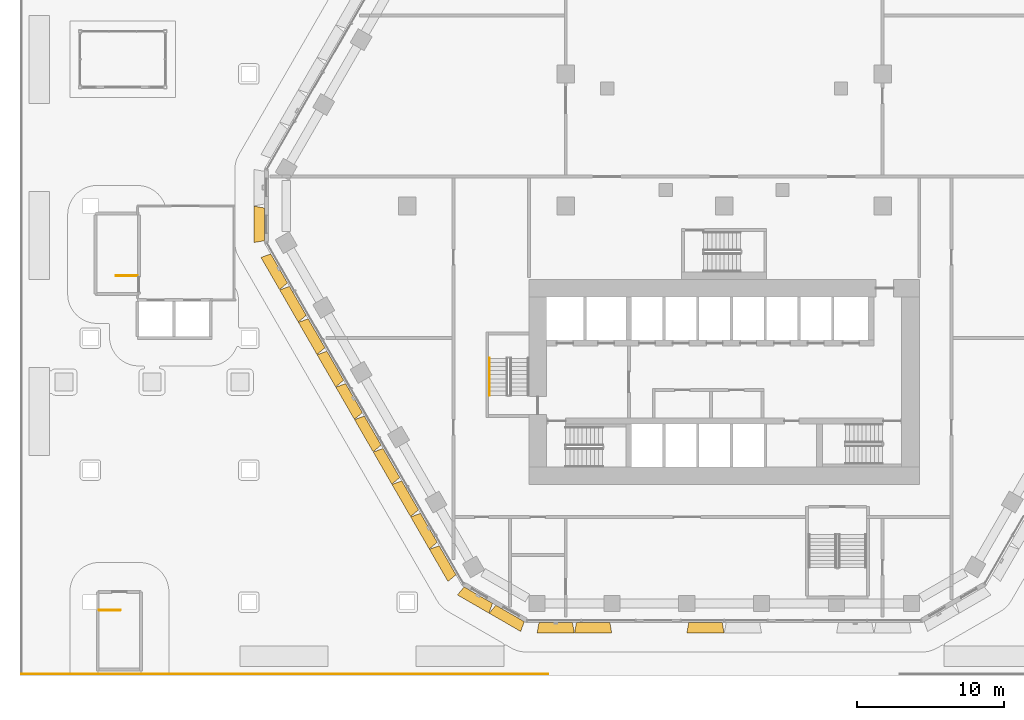
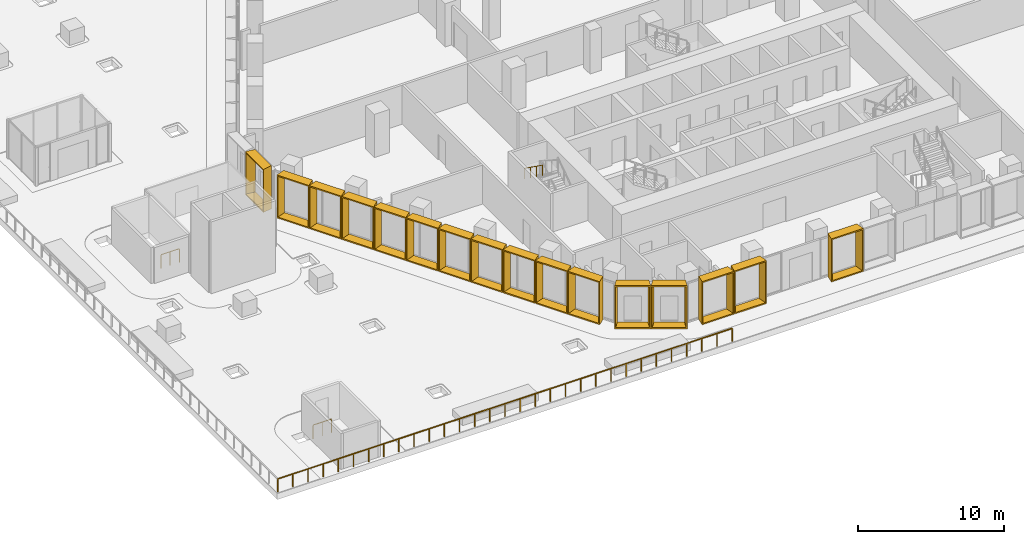
# One storey, part 33 of 38: 16 shading devices, 4 railings.
"""IFC4 building model written with IfcOpenShell, lengths in metres."""

import ifcopenshell
import ifcopenshell.guid

model = None  # the IFC model being written
_history = None  # IfcOwnerHistory: only IFC2X3 demands one
_inside = {}  # id of a spatial element -> (the spatial element, [elements in it])
_under = {}  # id of a project, library or spatial element -> (it, [spatial elements below it])
_declared = {}  # id of a project -> (the project, [libraries it declares])
_typed = {}  # id of a type object -> (the type object, [elements of that type])
_made_of = {}  # id of a material, layer set ... -> (it, [elements and type objects made of it])


def new_model(schema):
    """Start an empty IFC model of exactly this schema.

    Asked for "IFC4X3", IfcOpenShell would pick the latest addendum, in which some entities
    have other attributes; the version numbers below select the first issue.
    IFC2X3 requires an IfcOwnerHistory on every rooted entity: one is made here for all.
    """
    global model, _history
    if schema == "IFC4X3":
        model = ifcopenshell.file(schema_version=(4, 3, 0, 0))
    else:
        model = ifcopenshell.file(schema=schema)
    _inside.clear()
    _under.clear()
    _declared.clear()
    _typed.clear()
    _made_of.clear()
    _history = None
    if model.schema == "IFC2X3":
        org = make("IfcOrganization", Name="unknown")
        user = make(
            "IfcPersonAndOrganization",
            ThePerson=make("IfcPerson", FamilyName="unknown"),
            TheOrganization=org,
        )
        app = make(
            "IfcApplication",
            ApplicationDeveloper=org,
            Version="unknown",
            ApplicationFullName="unknown",
            ApplicationIdentifier="unknown",
        )
        _history = make(
            "IfcOwnerHistory",
            OwningUser=user,
            OwningApplication=app,
            ChangeAction="ADDED",
            CreationDate=0,
        )
    return model


def make(cls, **values):
    """One entity of the class cls with the attributes given. An attribute that is None is left unset."""
    return model.create_entity(
        cls, **{name: value for name, value in values.items() if value is not None}
    )


def entity(cls, *values):
    """Any entity or typed value of the class cls, its attributes in the order of the schema. None: left unset."""
    e = model.create_entity(cls)
    for i, value in enumerate(values):
        if value is not None:
            e[i] = value
    return e


def rooted(cls, **values):
    """An entity with a GlobalId (a new one), such as an element, a storey or a relation."""
    return make(cls, GlobalId=ifcopenshell.guid.new(), OwnerHistory=_history, **values)


def si_unit(unit_type, name, prefix=None):
    """IfcSIUnit, for example si_unit("LENGTHUNIT", "METRE", prefix="MILLI")."""
    return make("IfcSIUnit", UnitType=unit_type, Prefix=prefix, Name=name)


def assignment(units):
    """IfcUnitAssignment: the units of a project."""
    return None if units is None else make("IfcUnitAssignment", Units=units)


def point(xyz):
    """IfcCartesianPoint."""
    return None if xyz is None else make("IfcCartesianPoint", Coordinates=xyz)


def direction(xyz):
    """IfcDirection."""
    return None if xyz is None else make("IfcDirection", DirectionRatios=xyz)


def frame(location, z_axis=None, x_axis=None):
    """IfcAxis2Placement3D, a coordinate frame: its origin and axes. An axis left out is left unset."""
    return make(
        "IfcAxis2Placement3D",
        Location=point(location),
        Axis=direction(z_axis),
        RefDirection=direction(x_axis),
    )


def frame_2d(location, x_axis=None):
    """IfcAxis2Placement2D, a coordinate frame in the plane: its origin and x axis."""
    return make(
        "IfcAxis2Placement2D", Location=point(location), RefDirection=direction(x_axis)
    )


def origin():
    """The frame at (0, 0, 0) with its axes left unset."""
    return frame((0.0, 0.0, 0.0))


def origin_2d():
    """The frame at (0, 0) in the plane with its x axis left unset."""
    return frame_2d((0.0, 0.0))


def place(relative_to, where):
    """IfcLocalPlacement: puts the frame where relative to a parent placement (None: the world)."""
    return make(
        "IfcLocalPlacement", PlacementRelTo=relative_to, RelativePlacement=where
    )


def context(
    kind, dimensions, precision=None, world=None, true_north=None, identifier=None
):
    """IfcGeometricRepresentationContext, for example the 3D "Model" context."""
    return make(
        "IfcGeometricRepresentationContext",
        ContextIdentifier=identifier,
        ContextType=kind,
        CoordinateSpaceDimension=dimensions,
        Precision=precision,
        WorldCoordinateSystem=world,
        TrueNorth=true_north,
    )


def subcontext(parent, identifier, kind, view, scale=None):
    """IfcGeometricRepresentationSubContext, for example "Body" below "Model"."""
    return make(
        "IfcGeometricRepresentationSubContext",
        ContextIdentifier=identifier,
        ContextType=kind,
        ParentContext=parent,
        TargetScale=scale,
        TargetView=view,
    )


def project(units=None, contexts=None):
    """IfcProject with its units and contexts."""
    return rooted(
        "IfcProject",
        Name="project",
        RepresentationContexts=contexts,
        UnitsInContext=assignment(units),
    )


def spatial(cls, under=None, at=None, **own):
    """A site, building, storey or space (cls), placed at a placement, below another one or the project."""
    s = rooted(cls, ObjectPlacement=at, **own)
    if under is not None:
        _under.setdefault(under.id(), (under, []))[1].append(s)
    return s


def profile(cls, at=None, kind="AREA", **sizes):
    """A parametric profile (cls). Its sizes go by their IFC names, for example OverallWidth=200.0."""
    return make(cls, ProfileType=kind, Position=at, **sizes)


def rectangle(**sizes):
    """IfcRectangleProfileDef."""
    return profile("IfcRectangleProfileDef", **sizes)


def extrude(swept, where, along, depth):
    """IfcExtrudedAreaSolid: the profile swept, set in the frame where, extruded along a direction by depth."""
    return make(
        "IfcExtrudedAreaSolid",
        SweptArea=swept,
        Position=where,
        ExtrudedDirection=direction(along),
        Depth=depth,
    )


def shape(context_of_items, identifier, shape_type, items):
    """IfcShapeRepresentation: the items that make up one representation, for example the "Body"."""
    return make(
        "IfcShapeRepresentation",
        ContextOfItems=context_of_items,
        RepresentationIdentifier=identifier,
        RepresentationType=shape_type,
        Items=items,
    )


def source(mapping_origin, context_of_items, identifier, shape_type, items):
    """IfcRepresentationMap: a shape defined once, which mapped items show again and again."""
    return make(
        "IfcRepresentationMap",
        MappingOrigin=mapping_origin,
        MappedRepresentation=shape(context_of_items, identifier, shape_type, items),
    )


def transform(
    local_origin,
    x_axis=None,
    y_axis=None,
    z_axis=None,
    scale=None,
    scale2=None,
    scale3=None,
    uniform=True,
):
    """IfcCartesianTransformationOperator3D, or its non-uniform kind. x_axis, y_axis, z_axis: its Axis1, 2, 3."""
    if uniform:
        return make(
            "IfcCartesianTransformationOperator3D",
            Axis1=direction(x_axis),
            Axis2=direction(y_axis),
            LocalOrigin=point(local_origin),
            Scale=scale,
            Axis3=direction(z_axis),
        )
    return make(
        "IfcCartesianTransformationOperator3DnonUniform",
        Axis1=direction(x_axis),
        Axis2=direction(y_axis),
        LocalOrigin=point(local_origin),
        Scale=scale,
        Axis3=direction(z_axis),
        Scale2=scale2,
        Scale3=scale3,
    )


def mapped(mapping_source, mapping_target):
    """IfcMappedItem: shows the shape of a source again, moved by a transform."""
    return make(
        "IfcMappedItem", MappingSource=mapping_source, MappingTarget=mapping_target
    )


def material(Name=None, Category=None):
    """IfcMaterial."""
    return make("IfcMaterial", Name=Name, Category=Category)


def made_of(thing, what):
    """Note that an element or type object is made of a material, layer set ...; save() writes the relation."""
    if what is not None:
        _made_of.setdefault(what.id(), (what, []))[1].append(thing)
    return thing


def type_object(cls, material=None, **own):
    """A type object (cls), such as IfcWallType, which elements share."""
    return made_of(rooted(cls, **own), material)


def type_shapes(of_type, sources):
    """Give a type object the sources (RepresentationMaps) that its elements show as mapped items."""
    of_type.RepresentationMaps = sources


def element(
    cls,
    number,
    at=None,
    inside=None,
    cuts=None,
    type_object=None,
    material=None,
    context=None,
    identifier="Body",
    shape_type=None,
    held_by="IfcProductDefinitionShape",
    body=None,
    shapes=None,
    **own,
):
    """One element of the class cls, such as IfcWall. Its Tag is "e" and its number.

    at: its placement. inside: the storey or other place that contains it. cuts: it is an
    opening in that element (IfcRelVoidsElement). A single representation is given by context,
    identifier, shape_type and body (its items); several are given by shapes. held_by: the class
    of the entity that holds the representations. save() writes the other relations.
    """
    e = rooted(cls, Tag="e%d" % number, ObjectPlacement=at, **own)
    if body is not None:
        shapes = [shape(context, identifier, shape_type, body)]
    if shapes is not None:
        e.Representation = make(held_by, Representations=shapes)
    if inside is not None:
        _inside.setdefault(inside.id(), (inside, []))[1].append(e)
    if cuts is not None:
        rooted(
            "IfcRelVoidsElement", RelatingBuildingElement=cuts, RelatedOpeningElement=e
        )
    if type_object is not None:
        _typed.setdefault(type_object.id(), (type_object, []))[1].append(e)
    return made_of(e, material)


def aggregate(whole, parts):
    """IfcRelAggregates: a whole, such as a stair, and the parts it consists of."""
    return rooted("IfcRelAggregates", RelatingObject=whole, RelatedObjects=parts)


def save(model, path):
    """Write the relations noted so far, then the file.

    IfcRelAggregates (storeys below a building ...), IfcRelContainedInSpatialStructure (elements
    in a storey), IfcRelDefinesByType, IfcRelAssociatesMaterial and IfcRelDeclares: one each for
    every whole, place, type object, material and project.
    """
    for whole, parts in _under.values():
        aggregate(whole, parts)
    for where, things in _inside.values():
        rooted(
            "IfcRelContainedInSpatialStructure",
            RelatedElements=things,
            RelatingStructure=where,
        )
    for kind, things in _typed.values():
        rooted("IfcRelDefinesByType", RelatedObjects=things, RelatingType=kind)
    for what, things in _made_of.values():
        rooted("IfcRelAssociatesMaterial", RelatedObjects=things, RelatingMaterial=what)
    for by, libraries in _declared.values():
        rooted("IfcRelDeclares", RelatingContext=by, RelatedDefinitions=libraries)
    model.write(path)


model = new_model("IFC4")

# Units and contexts
model_context = context("Model", 3, precision=1e-05, world=origin(), true_north=direction((0.0, 1.0)))
body_context = subcontext(model_context, "Body", "Model", "MODEL_VIEW")
ifc_project = project(units=[si_unit("LENGTHUNIT", "METRE"), si_unit("AREAUNIT", "SQUARE_METRE"), si_unit("VOLUMEUNIT", "CUBIC_METRE"), si_unit("PLANEANGLEUNIT", "RADIAN"), si_unit("MASSUNIT", "GRAM", prefix="KILO")], contexts=[model_context])

# Site, building, storey
site_placement = place(None, origin())
site = spatial("IfcSite", under=ifc_project, at=site_placement, CompositionType="ELEMENT")
building_placement = place(site_placement, origin())
building = spatial("IfcBuilding", under=site, at=building_placement, Name="Beryl Residences", CompositionType="ELEMENT")
storey_placement = place(building_placement, frame((0.0, 0.0, 9.0)))
storey = spatial("IfcBuildingStorey", under=building, at=storey_placement, Name="L02", CompositionType="ELEMENT", Elevation=9.0)

# Shading devices
ifc_material_1 = material(Name="Aluminium pale anodised", Category="aluminium")
shading_device_type_1 = type_object("IfcShadingDeviceType", Name="FR250-70A-H36 OUTER SKIN frame 700 mm deep, splay 10/10 deg, 2500 x 3600 mm cell", PredefinedType="USERDEFINED", material=ifc_material_1)
cartesian_point_1 = entity("IfcCartesianPoint", [-1.116455078125, 0.0])
cartesian_point_2 = entity("IfcCartesianPoint", [-1.03515625, 0.10009765625])
cartesian_point_3 = entity("IfcCartesianPoint", [-1.239990234375, 0.0])
cartesian_point_4 = entity("IfcCartesianPoint", [-1.15869140625, 0.10009765625])
shared_shape_1 = source(origin(), body_context, "Body", "SweptSolid", [
    entity("IfcExtrudedAreaSolidTapered", entity("IfcArbitraryProfileDefWithVoids", "AREA", None, entity("IfcPolyline", [cartesian_point_1, entity("IfcCartesianPoint", [1.116455078125, 0.0]), entity("IfcCartesianPoint", [1.116455078125, 3.60009765625]), entity("IfcCartesianPoint", [-1.116455078125, 3.60009765625]), cartesian_point_1]), [entity("IfcPolyline", [cartesian_point_2, entity("IfcCartesianPoint", [1.03515625, 0.10009765625]), entity("IfcCartesianPoint", [1.03515625, 3.5]), entity("IfcCartesianPoint", [-1.03515625, 3.5]), cartesian_point_2])]), entity("IfcAxis2Placement3D", entity("IfcCartesianPoint", [0.0, 0.0, 0.0]), entity("IfcDirection", [0.0, 1.0, 0.0]), entity("IfcDirection", [-1.0, 0.0, 0.0])), entity("IfcDirection", [0.0, 0.0, 1.0]), 0.699951171875, entity("IfcArbitraryProfileDefWithVoids", "AREA", None, entity("IfcPolyline", [cartesian_point_3, entity("IfcCartesianPoint", [1.239990234375, 0.0]), entity("IfcCartesianPoint", [1.239990234375, 3.60009765625]), entity("IfcCartesianPoint", [-1.239990234375, 3.60009765625]), cartesian_point_3]), [entity("IfcPolyline", [cartesian_point_4, entity("IfcCartesianPoint", [1.15869140625, 0.10009765625]), entity("IfcCartesianPoint", [1.15869140625, 3.5]), entity("IfcCartesianPoint", [-1.15869140625, 3.5]), cartesian_point_4])])),
])
type_shapes(shading_device_type_1, [shared_shape_1])
for number, where, z_axis, x_axis, name in (
    (1, (-31.35009765625, -1.25, 0.0), (0.0, 0.0, 1.0), (0.0, 1.0, 0.0), "FR250-70A-H36 frame L02 NW-SW 2"),
    (2, (-16.758056640625, -26.52490234375, 0.0), (0.0, 0.0, 1.0), (-0.866025403784, 0.5, 0.0), "FR250-70A-H36 frame L02 SW-S 1"),
    (3, (-14.593017578125, -27.77490234375, 0.0), (0.0, 0.0, 1.0), (-0.866025403784, 0.5, 0.0), "FR250-70A-H36 frame L02 SW-S 2"),
):
    element("IfcShadingDevice", number, at=place(storey_placement, frame(where, z_axis=z_axis, x_axis=x_axis)), inside=storey, type_object=shading_device_type_1, Name=name, ObjectType="OUTER SKIN", PredefinedType="USERDEFINED", context=body_context, shape_type="MappedRepresentation", body=[
        mapped(shared_shape_1, transform((0.0, 0.0, 0.0))),
    ])
ifc_material_2 = material(Name="Aluminium pale anodised", Category="aluminium")
shading_device_type_2 = type_object("IfcShadingDeviceType", Name="FR255-70A-H36 OUTER SKIN frame 700 mm deep, splay 10/10 deg, 2550 x 3600 mm cell", PredefinedType="USERDEFINED", material=ifc_material_2)
cartesian_point_5 = entity("IfcCartesianPoint", [-1.1416015625, 0.0])
cartesian_point_6 = entity("IfcCartesianPoint", [-1.060302734375, 0.10009765625])
cartesian_point_7 = entity("IfcCartesianPoint", [-1.264892578125, 0.0])
cartesian_point_8 = entity("IfcCartesianPoint", [-1.18359375, 0.10009765625])
shared_shape_2 = source(origin(), body_context, "Body", "SweptSolid", [
    entity("IfcExtrudedAreaSolidTapered", entity("IfcArbitraryProfileDefWithVoids", "AREA", None, entity("IfcPolyline", [cartesian_point_5, entity("IfcCartesianPoint", [1.1416015625, 0.0]), entity("IfcCartesianPoint", [1.1416015625, 3.60009765625]), entity("IfcCartesianPoint", [-1.1416015625, 3.60009765625]), cartesian_point_5]), [entity("IfcPolyline", [cartesian_point_6, entity("IfcCartesianPoint", [1.060302734375, 0.10009765625]), entity("IfcCartesianPoint", [1.060302734375, 3.5]), entity("IfcCartesianPoint", [-1.060302734375, 3.5]), cartesian_point_6])]), entity("IfcAxis2Placement3D", entity("IfcCartesianPoint", [0.0, 0.0, 0.0]), entity("IfcDirection", [0.0, 1.0, 0.0]), entity("IfcDirection", [-1.0, 0.0, 0.0])), entity("IfcDirection", [0.0, 0.0, 1.0]), 0.699951171875, entity("IfcArbitraryProfileDefWithVoids", "AREA", None, entity("IfcPolyline", [cartesian_point_7, entity("IfcCartesianPoint", [1.264892578125, 0.0]), entity("IfcCartesianPoint", [1.264892578125, 3.60009765625]), entity("IfcCartesianPoint", [-1.264892578125, 3.60009765625]), cartesian_point_7]), [entity("IfcPolyline", [cartesian_point_8, entity("IfcCartesianPoint", [1.18359375, 0.10009765625]), entity("IfcCartesianPoint", [1.18359375, 3.5]), entity("IfcCartesianPoint", [-1.18359375, 3.5]), cartesian_point_8])])),
])
type_shapes(shading_device_type_2, [shared_shape_2])
for number, where, z_axis, x_axis, name in (
    (4, (-30.3359375, -4.2548828125, 0.0), (0.0, 0.0, 1.0), (-0.5, 0.866025403784, 0.0), "FR255-70A-H36 frame L02 SW 1"),
    (5, (-29.06005859375, -6.465087890625, 0.0), (0.0, 0.0, 1.0), (-0.5, 0.866025403784, 0.0), "FR255-70A-H36 frame L02 SW 2"),
    (6, (-27.783935546875, -8.676025390625, 0.0), (0.0, 0.0, 1.0), (-0.5, 0.866025403784, 0.0), "FR255-70A-H36 frame L02 SW 3"),
    (7, (-26.508056640625, -10.885986328125, 0.0), (0.0, 0.0, 1.0), (-0.5, 0.866025403784, 0.0), "FR255-70A-H36 frame L02 SW 4"),
    (8, (-25.23193359375, -13.095947265625, 0.0), (0.0, 0.0, 1.0), (-0.5, 0.866025403784, 0.0), "FR255-70A-H36 frame L02 SW 5"),
    (9, (-23.95703125, -15.305908203125, 0.0), (0.0, 0.0, 1.0), (-0.5, 0.866025403784, 0.0), "FR255-70A-H36 frame L02 SW 6"),
    (10, (-22.680908203125, -17.51611328125, 0.0), (0.0, 0.0, 1.0), (-0.5, 0.866025403784, 0.0), "FR255-70A-H36 frame L02 SW 7"),
    (11, (-21.405029296875, -19.72607421875, 0.0), (0.0, 0.0, 1.0), (-0.5, 0.866025403784, 0.0), "FR255-70A-H36 frame L02 SW 8"),
    (12, (-20.12890625, -21.93603515625, 0.0), (0.0, 0.0, 1.0), (-0.5, 0.866025403784, 0.0), "FR255-70A-H36 frame L02 SW 9"),
    (13, (-18.85302734375, -24.14599609375, 0.0), (0.0, 0.0, 1.0), (-0.5, 0.866025403784, 0.0), "FR255-70A-H36 frame L02 SW 10"),
    (14, (-11.48291015625, -28.39990234375, 0.0), (0.0, 0.0, 1.0), (-1.0, 0.0, 0.0), "FR255-70A-H36 frame L02 S 1"),
    (15, (-8.930908203125, -28.39990234375, 0.0), (0.0, 0.0, 1.0), (-1.0, 0.0, 0.0), "FR255-70A-H36 frame L02 S 2"),
    (16, (-1.27490234375, -28.39990234375, 0.0), (0.0, 0.0, 1.0), (-1.0, 0.0, 0.0), "FR255-70A-H36 frame L02 S 5"),
):
    element("IfcShadingDevice", number, at=place(storey_placement, frame(where, z_axis=z_axis, x_axis=x_axis)), inside=storey, type_object=shading_device_type_2, Name=name, ObjectType="OUTER SKIN", PredefinedType="USERDEFINED", context=body_context, shape_type="MappedRepresentation", body=[
        mapped(shared_shape_2, transform((0.0, 0.0, 0.0))),
    ])

# Railings
ifc_material_3 = material(Name="Stainless steel balustrade with glass infill", Category="steel")
railing_type_1 = type_object("IfcRailingType", Name="SG1 stair guard 1100 mm", PredefinedType="GUARDRAIL", material=ifc_material_3)
railing_1_placement = place(storey_placement, frame((-42.60009765625, -27.550048828125, 0.0)))
element("IfcRailing", 17, at=railing_1_placement, inside=storey, type_object=railing_type_1, Name="L02 PS-4 top well guard 1", PredefinedType="GUARDRAIL", context=body_context, shape_type="SweptSolid", body=[
    extrude(rectangle(XDim=0.048095703125, YDim=0.048095703125, at=origin_2d()), frame((0.0, 0.0, 1.1357421875), z_axis=(1.0, 0.0, 0.0), x_axis=(0.0, 1.0, 0.0)), (0.0, 0.0, 1.0), 1.4501953125),
    extrude(rectangle(XDim=0.0419921875, YDim=0.0419921875, at=origin_2d()), origin(), (0.0, 0.0, 1.0), 1.11181640625),
    extrude(rectangle(XDim=0.0419921875, YDim=0.0419921875, at=origin_2d()), frame((0.72509765625, 0.0, 0.0)), (0.0, 0.0, 1.0), 1.11181640625),
    extrude(rectangle(XDim=0.0419921875, YDim=0.0419921875, at=origin_2d()), frame((1.4501953125, 0.0, 0.0)), (0.0, 0.0, 1.0), 1.11181640625),
])
railing_2_placement = place(storey_placement, frame((-40.0, -4.75, 0.0)))
element("IfcRailing", 18, at=railing_2_placement, inside=storey, type_object=railing_type_1, Name="L02 PS-6 top well guard 1", PredefinedType="GUARDRAIL", context=body_context, shape_type="SweptSolid", body=[
    extrude(rectangle(XDim=0.048095703125, YDim=0.048095703125, at=origin_2d()), frame((0.0, 0.0, 1.1357421875), z_axis=(-1.0, 0.0, 0.0), x_axis=(0.0, -1.0, 0.0)), (0.0, 0.0, 1.0), 1.449951171875),
    extrude(rectangle(XDim=0.0419921875, YDim=0.0419921875, at=origin_2d()), origin(), (0.0, 0.0, 1.0), 1.11181640625),
    extrude(rectangle(XDim=0.0419921875, YDim=0.0419921875, at=origin_2d()), frame((-0.72509765625, 0.0, 0.0)), (0.0, 0.0, 1.0), 1.11181640625),
    extrude(rectangle(XDim=0.0419921875, YDim=0.0419921875, at=origin_2d()), frame((-1.449951171875, 0.0, 0.0)), (0.0, 0.0, 1.0), 1.11181640625),
])
ifc_material_4 = material(Name="Stainless steel handrail", Category="steel")
railing_type_2 = type_object("IfcRailingType", Name="SRL1 stair handrail 900 mm", PredefinedType="HANDRAIL", material=ifc_material_4)
railing_3_placement = place(storey_placement, frame((-16.0, -10.3798828125, 1.97998046875)))
element("IfcRailing", 19, at=railing_3_placement, inside=storey, type_object=railing_type_2, Name="L02 ST-2 stair handrail 2", PredefinedType="HANDRAIL", context=body_context, shape_type="SweptSolid", body=[
    extrude(rectangle(XDim=0.048095703125, YDim=0.048095703125, at=origin_2d()), frame((0.0, 0.0, 0.8759765625), z_axis=(0.0, -0.813728144527, 0.581245650998), x_axis=(1.0, 0.0, 0.0)), (0.0, 0.0, 1.0), 3.096923828125),
    extrude(rectangle(XDim=0.0419921875, YDim=0.0419921875, at=origin_2d()), origin(), (0.0, 0.0, 1.0), 0.851806640625),
    extrude(rectangle(XDim=0.0419921875, YDim=0.0419921875, at=origin_2d()), frame((0.0, -0.840087890625, 0.60009765625)), (0.0, 0.0, 1.0), 0.851806640625),
    extrude(rectangle(XDim=0.0419921875, YDim=0.0419921875, at=origin_2d()), frame((0.0, -1.679931640625, 1.199951171875)), (0.0, 0.0, 1.0), 0.851806640625),
    extrude(rectangle(XDim=0.0419921875, YDim=0.0419921875, at=origin_2d()), frame((0.0, -2.52001953125, 1.800048828125)), (0.0, 0.0, 1.0), 0.851806640625),
])
ifc_material_5 = material(Name="Stainless steel and clear glass", Category="steel")
railing_type_3 = type_object("IfcRailingType", Name="XG1 guard 1100 mm", PredefinedType="GUARDRAIL", material=ifc_material_5)
railing_4_placement = place(storey_placement, frame((-47.89990234375, -31.89990234375, 0.06005859375)))
element("IfcRailing", 20, at=railing_4_placement, inside=storey, type_object=railing_type_3, Name="XG1 deck guard 1", PredefinedType="GUARDRAIL", context=body_context, shape_type="SweptSolid", body=[
    extrude(rectangle(XDim=0.048095703125, YDim=0.048095703125, at=origin_2d()), frame((0.0, 0.0, 1.076171875), z_axis=(1.0, 0.0, 0.0), x_axis=(0.0, 1.0, 0.0)), (0.0, 0.0, 1.0), 35.89990234375),
    extrude(rectangle(XDim=0.0419921875, YDim=0.0419921875, at=origin_2d()), origin(), (0.0, 0.0, 1.0), 1.052001953125),
    extrude(rectangle(XDim=0.0419921875, YDim=0.0419921875, at=origin_2d()), frame((1.19677734375, 0.0, 0.0)), (0.0, 0.0, 1.0), 1.052001953125),
    extrude(rectangle(XDim=0.0419921875, YDim=0.0419921875, at=origin_2d()), frame((2.393310546875, 0.0, 0.0)), (0.0, 0.0, 1.0), 1.052001953125),
    extrude(rectangle(XDim=0.0419921875, YDim=0.0419921875, at=origin_2d()), frame((3.590087890625, 0.0, 0.0)), (0.0, 0.0, 1.0), 1.052001953125),
    extrude(rectangle(XDim=0.0419921875, YDim=0.0419921875, at=origin_2d()), frame((4.78662109375, 0.0, 0.0)), (0.0, 0.0, 1.0), 1.052001953125),
    extrude(rectangle(XDim=0.0419921875, YDim=0.0419921875, at=origin_2d()), frame((5.9833984375, 0.0, 0.0)), (0.0, 0.0, 1.0), 1.052001953125),
    extrude(rectangle(XDim=0.0419921875, YDim=0.0419921875, at=origin_2d()), frame((7.179931640625, 0.0, 0.0)), (0.0, 0.0, 1.0), 1.052001953125),
    extrude(rectangle(XDim=0.0419921875, YDim=0.0419921875, at=origin_2d()), frame((8.376708984375, 0.0, 0.0)), (0.0, 0.0, 1.0), 1.052001953125),
    extrude(rectangle(XDim=0.0419921875, YDim=0.0419921875, at=origin_2d()), frame((9.5732421875, 0.0, 0.0)), (0.0, 0.0, 1.0), 1.052001953125),
    extrude(rectangle(XDim=0.0419921875, YDim=0.0419921875, at=origin_2d()), frame((10.77001953125, 0.0, 0.0)), (0.0, 0.0, 1.0), 1.052001953125),
    extrude(rectangle(XDim=0.0419921875, YDim=0.0419921875, at=origin_2d()), frame((11.966552734375, 0.0, 0.0)), (0.0, 0.0, 1.0), 1.052001953125),
    extrude(rectangle(XDim=0.0419921875, YDim=0.0419921875, at=origin_2d()), frame((13.163330078125, 0.0, 0.0)), (0.0, 0.0, 1.0), 1.052001953125),
    extrude(rectangle(XDim=0.0419921875, YDim=0.0419921875, at=origin_2d()), frame((14.35986328125, 0.0, 0.0)), (0.0, 0.0, 1.0), 1.052001953125),
    extrude(rectangle(XDim=0.0419921875, YDim=0.0419921875, at=origin_2d()), frame((15.556640625, 0.0, 0.0)), (0.0, 0.0, 1.0), 1.052001953125),
    extrude(rectangle(XDim=0.0419921875, YDim=0.0419921875, at=origin_2d()), frame((16.753173828125, 0.0, 0.0)), (0.0, 0.0, 1.0), 1.052001953125),
    extrude(rectangle(XDim=0.0419921875, YDim=0.0419921875, at=origin_2d()), frame((17.949951171875, 0.0, 0.0)), (0.0, 0.0, 1.0), 1.052001953125),
    extrude(rectangle(XDim=0.0419921875, YDim=0.0419921875, at=origin_2d()), frame((19.146728515625, 0.0, 0.0)), (0.0, 0.0, 1.0), 1.052001953125),
    extrude(rectangle(XDim=0.0419921875, YDim=0.0419921875, at=origin_2d()), frame((20.34326171875, 0.0, 0.0)), (0.0, 0.0, 1.0), 1.052001953125),
    extrude(rectangle(XDim=0.0419921875, YDim=0.0419921875, at=origin_2d()), frame((21.5400390625, 0.0, 0.0)), (0.0, 0.0, 1.0), 1.052001953125),
    extrude(rectangle(XDim=0.0419921875, YDim=0.0419921875, at=origin_2d()), frame((22.736572265625, 0.0, 0.0)), (0.0, 0.0, 1.0), 1.052001953125),
    extrude(rectangle(XDim=0.0419921875, YDim=0.0419921875, at=origin_2d()), frame((23.933349609375, 0.0, 0.0)), (0.0, 0.0, 1.0), 1.052001953125),
    extrude(rectangle(XDim=0.0419921875, YDim=0.0419921875, at=origin_2d()), frame((25.1298828125, 0.0, 0.0)), (0.0, 0.0, 1.0), 1.052001953125),
    extrude(rectangle(XDim=0.0419921875, YDim=0.0419921875, at=origin_2d()), frame((26.32666015625, 0.0, 0.0)), (0.0, 0.0, 1.0), 1.052001953125),
    extrude(rectangle(XDim=0.0419921875, YDim=0.0419921875, at=origin_2d()), frame((27.523193359375, 0.0, 0.0)), (0.0, 0.0, 1.0), 1.052001953125),
    extrude(rectangle(XDim=0.0419921875, YDim=0.0419921875, at=origin_2d()), frame((28.719970703125, 0.0, 0.0)), (0.0, 0.0, 1.0), 1.052001953125),
    extrude(rectangle(XDim=0.0419921875, YDim=0.0419921875, at=origin_2d()), frame((29.91650390625, 0.0, 0.0)), (0.0, 0.0, 1.0), 1.052001953125),
    extrude(rectangle(XDim=0.0419921875, YDim=0.0419921875, at=origin_2d()), frame((31.11328125, 0.0, 0.0)), (0.0, 0.0, 1.0), 1.052001953125),
    extrude(rectangle(XDim=0.0419921875, YDim=0.0419921875, at=origin_2d()), frame((32.309814453125, 0.0, 0.0)), (0.0, 0.0, 1.0), 1.052001953125),
    extrude(rectangle(XDim=0.0419921875, YDim=0.0419921875, at=origin_2d()), frame((33.506591796875, 0.0, 0.0)), (0.0, 0.0, 1.0), 1.052001953125),
    extrude(rectangle(XDim=0.0419921875, YDim=0.0419921875, at=origin_2d()), frame((34.703125, 0.0, 0.0)), (0.0, 0.0, 1.0), 1.052001953125),
    extrude(rectangle(XDim=0.0419921875, YDim=0.0419921875, at=origin_2d()), frame((35.89990234375, 0.0, 0.0)), (0.0, 0.0, 1.0), 1.052001953125),
])

save(model, "model.ifc")
